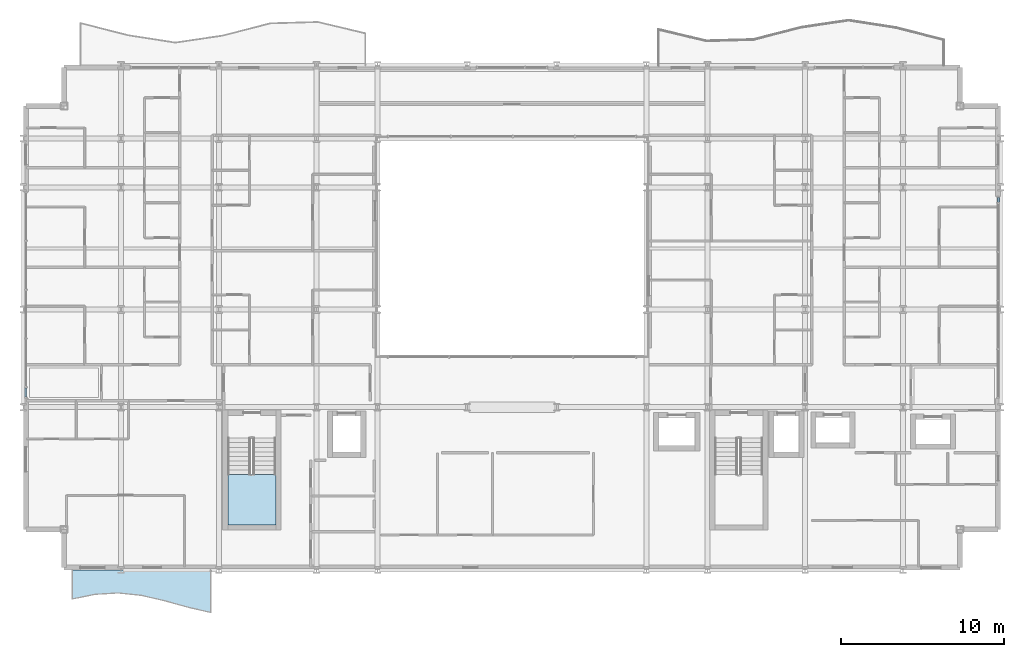
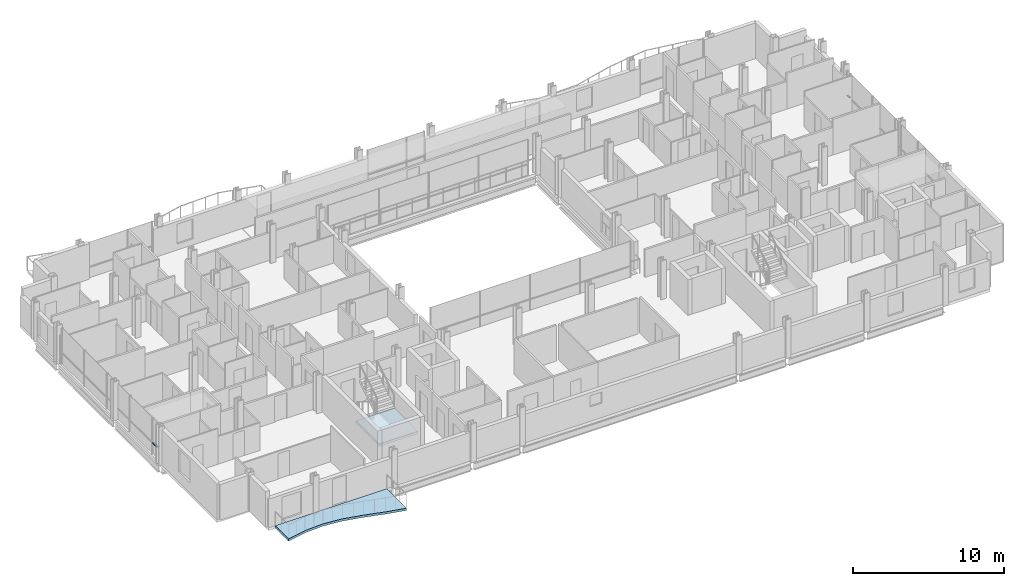
# One storey, part 25 of 40: 2 members, 2 slabs, 3 elements without a shape of their own.
"""IFC4 building model written with IfcOpenShell, lengths in metres."""

from ifc_helpers import new_model, si_unit, direction, frame, origin, origin_2d, place, context, subcontext, project, spatial, polyline, hollow_rectangle, outline, extrude, material, layer, layer_set, material_profile, profile_set, type_object, element, aggregate, save


model = new_model("IFC4")

# Units and contexts
model_context = context("Model", 3, precision=1e-05, world=origin(), true_north=direction((0.0, 1.0)))
body_context = subcontext(model_context, "Body", "Model", "MODEL_VIEW")
ifc_project = project(units=[si_unit("LENGTHUNIT", "METRE"), si_unit("AREAUNIT", "SQUARE_METRE"), si_unit("VOLUMEUNIT", "CUBIC_METRE"), si_unit("PLANEANGLEUNIT", "RADIAN"), si_unit("MASSUNIT", "GRAM", prefix="KILO")], contexts=[model_context])

# Site, building, storey
site_placement = place(None, origin())
site = spatial("IfcSite", under=ifc_project, at=site_placement, CompositionType="ELEMENT")
building_placement = place(site_placement, origin())
building = spatial("IfcBuilding", under=site, at=building_placement, Name="Brevholm Reach", CompositionType="ELEMENT")
storey_placement = place(building_placement, frame((0.0, 0.0, 31.10009765625)))
storey = spatial("IfcBuildingStorey", under=building, at=storey_placement, Name="L07", CompositionType="ELEMENT", Elevation=31.10009765625)

# Curtain wall, member
ifc_material_1 = material(Name="Dark Anodised Aluminium 6063-T6 and Solar-Control Glass", Category="aluminium")
ifc_layer_1 = layer(ifc_material_1, 0.14990234375)
ifc_layer_set_1 = layer_set([ifc_layer_1], Name="Dark Anodised Aluminium 6063-T6 and Solar-Control Glass")
curtain_wall_type = type_object("IfcCurtainWallType", Name="CW-01", PredefinedType="NOTDEFINED", material=ifc_layer_set_1)
curtain_wall_1_placement = place(storey_placement, origin())
curtain_wall_1 = element("IfcCurtainWall", 1, at=curtain_wall_1_placement, inside=storey, type_object=curtain_wall_type, Name="L07 Curtain Wall CW-01", PredefinedType="NOTDEFINED")
ifc_material_2 = material(Name="Dark Anodised Aluminium 6063-T6", Category="aluminium")
ifc_material_profile = material_profile(ifc_material_2, hollow_rectangle(XDim=0.06494140625, YDim=0.14990234375, WallThickness=0.0048828125, InnerFilletRadius=0.0048828125, OuterFilletRadius=0.010009765625, at=origin_2d()), Name="RHS 150x65x5")
ifc_profile_set = profile_set([ifc_material_profile], Name="Dark Anodised Aluminium 6063-T6")
member_type = type_object("IfcMemberType", Name="CWT-150", PredefinedType="NOTDEFINED", material=ifc_profile_set)
member_1_placement = place(storey_placement, frame((0.14990234375, 11.1875, 0.89990234375), z_axis=(0.0, -1.0, 0.0), x_axis=(0.0, 0.0, 1.0)))
member_1 = element("IfcMember", 2, at=member_1_placement, type_object=member_type, Name="CT-150 Transom 5.1", ObjectType="TRANSOM", PredefinedType="USERDEFINED", context=body_context, shape_type="SweptSolid", body=[
    extrude(hollow_rectangle(XDim=0.06494140625, YDim=0.14990234375, WallThickness=0.0048828125, InnerFilletRadius=0.0048828125, OuterFilletRadius=0.010009765625, at=origin_2d()), origin(), (0.0, 0.0, 1.0), 0.572509765625),
])
aggregate(curtain_wall_1, [member_1])

curtain_wall_2_placement = place(storey_placement, origin())
curtain_wall_2 = element("IfcCurtainWall", 3, at=curtain_wall_2_placement, inside=storey, type_object=curtain_wall_type, Name="L07 Curtain Wall CW-01", PredefinedType="NOTDEFINED")
member_2_placement = place(storey_placement, frame((59.85009765625, 22.58251953125, 0.89990234375), z_axis=(0.0, 1.0, 0.0), x_axis=(0.0, 0.0, 1.0)))
member_2 = element("IfcMember", 4, at=member_2_placement, type_object=member_type, Name="CT-150 Transom 5.1", ObjectType="TRANSOM", PredefinedType="USERDEFINED", context=body_context, shape_type="SweptSolid", body=[
    extrude(hollow_rectangle(XDim=0.06494140625, YDim=0.14990234375, WallThickness=0.0048828125, InnerFilletRadius=0.0048828125, OuterFilletRadius=0.010009765625, at=origin_2d()), origin(), (0.0, 0.0, 1.0), 0.302490234375),
])
aggregate(curtain_wall_2, [member_2])

# Slab
ifc_material_3 = material(Name="Precast Concrete C40/50", Category="concrete")
ifc_layer_2 = layer(ifc_material_3, 0.179931640625)
ifc_layer_set_2 = layer_set([ifc_layer_2], Name="Precast Concrete C40/50")
slab_type_1 = type_object("IfcSlabType", Name="SLB-BAL-180", PredefinedType="FLOOR", material=ifc_layer_set_2)
slab_1_placement = place(storey_placement, frame((0.0, 0.0, -0.18017578125)))
element("IfcSlab", 5, at=slab_1_placement, inside=storey, type_object=slab_type_1, Name="L07 Rippling External Balcony SW", PredefinedType="FLOOR", context=body_context, shape_type="SweptSolid", body=[
    extrude(outline(polyline([(3.0, -1.7685546875), (4.416748046875, -1.484619140625), (5.833251953125, -1.402587890625), (7.25, -1.55029296875), (8.666748046875, -1.877685546875), (10.083251953125, -2.2724609375), (11.5, -2.599609375), (11.5, 0.0), (3.0, 0.0), (3.0, -1.7685546875)])), origin(), (0.0, 0.0, 1.0), 0.18017578125),
])

# Stair, slab
ifc_material_4 = material(Name="Precast Concrete C40/50", Category="concrete")
stair_type = type_object("IfcStairType", Name="STR-ESC-1400", PredefinedType="DOUBLE_RETURN_STAIR", material=ifc_material_4)
stair_placement = place(storey_placement, origin())
stair = element("IfcStair", 6, at=stair_placement, inside=storey, type_object=stair_type, Name="L07 ST-1", PredefinedType="DOUBLE_RETURN_STAIR")
ifc_material_5 = material(Name="Concrete C40/50", Category="concrete")
ifc_layer_3 = layer(ifc_material_5, 0.199951171875)
ifc_layer_set_3 = layer_set([ifc_layer_3], Name="Concrete C40/50")
slab_type_2 = type_object("IfcSlabType", Name="SLB-LND-200", PredefinedType="LANDING", material=ifc_layer_set_3)
slab_2_placement = place(storey_placement, frame((0.0, 0.0, 1.349853515625)))
slab_2 = element("IfcSlab", 7, at=slab_2_placement, type_object=slab_type_2, Name="ST-1 landing 1", PredefinedType="LANDING", context=body_context, shape_type="SweptSolid", body=[
    extrude(outline(polyline([(12.550048828125, 5.860107421875), (12.550048828125, 2.780029296875), (15.5, 2.780029296875), (15.5, 5.860107421875), (12.550048828125, 5.860107421875)])), origin(), (0.0, 0.0, 1.0), 0.199951171875),
])
aggregate(stair, [slab_2])

save(model, "model.ifc")
